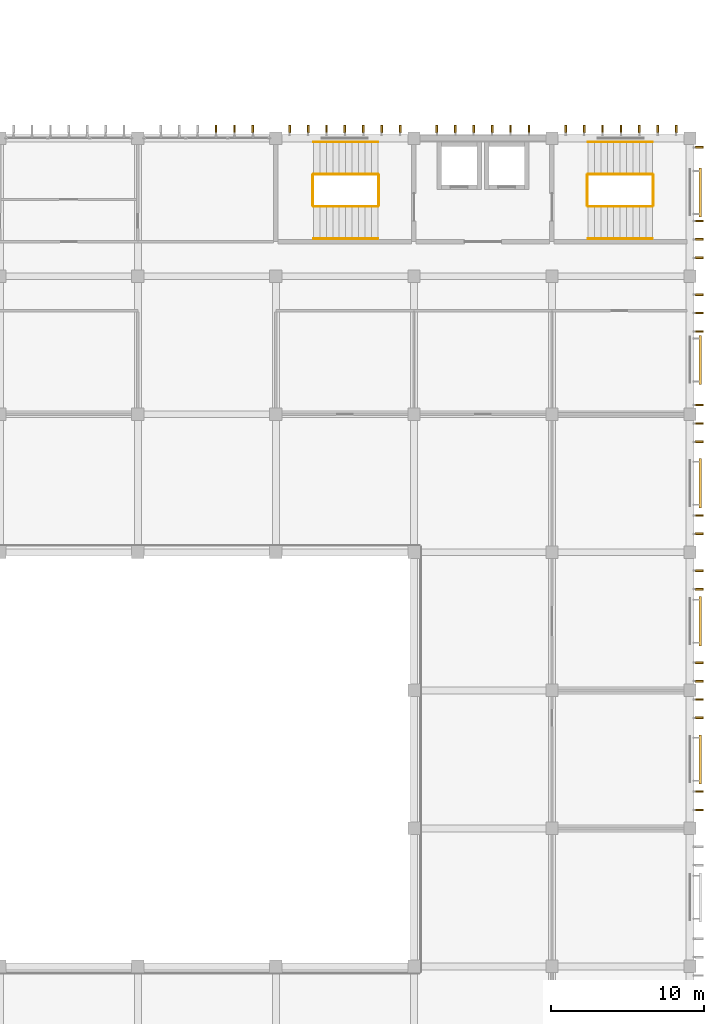
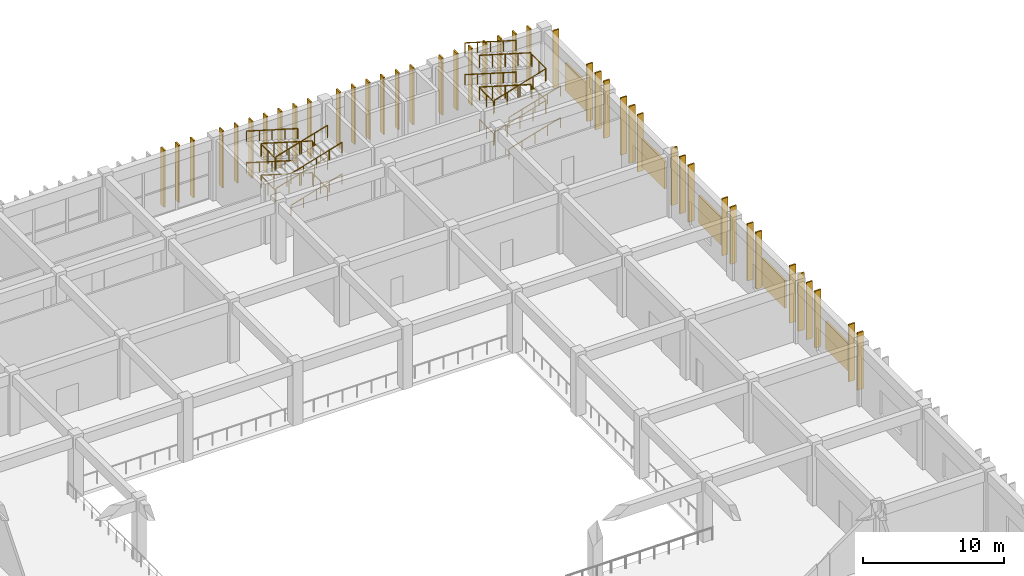
# One storey, part 185 of 185: 43 coverings, 24 railings, 5 shading devices.
"""IFC4 building model written with IfcOpenShell, lengths in metres."""

import ifcopenshell
import ifcopenshell.guid

model = None  # the IFC model being written
_history = None  # IfcOwnerHistory: only IFC2X3 demands one
_inside = {}  # id of a spatial element -> (the spatial element, [elements in it])
_under = {}  # id of a project, library or spatial element -> (it, [spatial elements below it])
_declared = {}  # id of a project -> (the project, [libraries it declares])
_typed = {}  # id of a type object -> (the type object, [elements of that type])
_made_of = {}  # id of a material, layer set ... -> (it, [elements and type objects made of it])


def new_model(schema):
    """Start an empty IFC model of exactly this schema.

    Asked for "IFC4X3", IfcOpenShell would pick the latest addendum, in which some entities
    have other attributes; the version numbers below select the first issue.
    IFC2X3 requires an IfcOwnerHistory on every rooted entity: one is made here for all.
    """
    global model, _history
    if schema == "IFC4X3":
        model = ifcopenshell.file(schema_version=(4, 3, 0, 0))
    else:
        model = ifcopenshell.file(schema=schema)
    _inside.clear()
    _under.clear()
    _declared.clear()
    _typed.clear()
    _made_of.clear()
    _history = None
    if model.schema == "IFC2X3":
        org = make("IfcOrganization", Name="unknown")
        user = make(
            "IfcPersonAndOrganization",
            ThePerson=make("IfcPerson", FamilyName="unknown"),
            TheOrganization=org,
        )
        app = make(
            "IfcApplication",
            ApplicationDeveloper=org,
            Version="unknown",
            ApplicationFullName="unknown",
            ApplicationIdentifier="unknown",
        )
        _history = make(
            "IfcOwnerHistory",
            OwningUser=user,
            OwningApplication=app,
            ChangeAction="ADDED",
            CreationDate=0,
        )
    return model


def make(cls, **values):
    """One entity of the class cls with the attributes given. An attribute that is None is left unset."""
    return model.create_entity(
        cls, **{name: value for name, value in values.items() if value is not None}
    )


def rooted(cls, **values):
    """An entity with a GlobalId (a new one), such as an element, a storey or a relation."""
    return make(cls, GlobalId=ifcopenshell.guid.new(), OwnerHistory=_history, **values)


def si_unit(unit_type, name, prefix=None):
    """IfcSIUnit, for example si_unit("LENGTHUNIT", "METRE", prefix="MILLI")."""
    return make("IfcSIUnit", UnitType=unit_type, Prefix=prefix, Name=name)


def assignment(units):
    """IfcUnitAssignment: the units of a project."""
    return None if units is None else make("IfcUnitAssignment", Units=units)


def point(xyz):
    """IfcCartesianPoint."""
    return None if xyz is None else make("IfcCartesianPoint", Coordinates=xyz)


def direction(xyz):
    """IfcDirection."""
    return None if xyz is None else make("IfcDirection", DirectionRatios=xyz)


def frame(location, z_axis=None, x_axis=None):
    """IfcAxis2Placement3D, a coordinate frame: its origin and axes. An axis left out is left unset."""
    return make(
        "IfcAxis2Placement3D",
        Location=point(location),
        Axis=direction(z_axis),
        RefDirection=direction(x_axis),
    )


def frame_2d(location, x_axis=None):
    """IfcAxis2Placement2D, a coordinate frame in the plane: its origin and x axis."""
    return make(
        "IfcAxis2Placement2D", Location=point(location), RefDirection=direction(x_axis)
    )


def origin():
    """The frame at (0, 0, 0) with its axes left unset."""
    return frame((0.0, 0.0, 0.0))


def origin_2d():
    """The frame at (0, 0) in the plane with its x axis left unset."""
    return frame_2d((0.0, 0.0))


def place(relative_to, where):
    """IfcLocalPlacement: puts the frame where relative to a parent placement (None: the world)."""
    return make(
        "IfcLocalPlacement", PlacementRelTo=relative_to, RelativePlacement=where
    )


def context(
    kind, dimensions, precision=None, world=None, true_north=None, identifier=None
):
    """IfcGeometricRepresentationContext, for example the 3D "Model" context."""
    return make(
        "IfcGeometricRepresentationContext",
        ContextIdentifier=identifier,
        ContextType=kind,
        CoordinateSpaceDimension=dimensions,
        Precision=precision,
        WorldCoordinateSystem=world,
        TrueNorth=true_north,
    )


def subcontext(parent, identifier, kind, view, scale=None):
    """IfcGeometricRepresentationSubContext, for example "Body" below "Model"."""
    return make(
        "IfcGeometricRepresentationSubContext",
        ContextIdentifier=identifier,
        ContextType=kind,
        ParentContext=parent,
        TargetScale=scale,
        TargetView=view,
    )


def project(units=None, contexts=None):
    """IfcProject with its units and contexts."""
    return rooted(
        "IfcProject",
        Name="project",
        RepresentationContexts=contexts,
        UnitsInContext=assignment(units),
    )


def spatial(cls, under=None, at=None, **own):
    """A site, building, storey or space (cls), placed at a placement, below another one or the project."""
    s = rooted(cls, ObjectPlacement=at, **own)
    if under is not None:
        _under.setdefault(under.id(), (under, []))[1].append(s)
    return s


def profile(cls, at=None, kind="AREA", **sizes):
    """A parametric profile (cls). Its sizes go by their IFC names, for example OverallWidth=200.0."""
    return make(cls, ProfileType=kind, Position=at, **sizes)


def rectangle(**sizes):
    """IfcRectangleProfileDef."""
    return profile("IfcRectangleProfileDef", **sizes)


def circle(**sizes):
    """IfcCircleProfileDef."""
    return profile("IfcCircleProfileDef", **sizes)


def extrude(swept, where, along, depth):
    """IfcExtrudedAreaSolid: the profile swept, set in the frame where, extruded along a direction by depth."""
    return make(
        "IfcExtrudedAreaSolid",
        SweptArea=swept,
        Position=where,
        ExtrudedDirection=direction(along),
        Depth=depth,
    )


def shape(context_of_items, identifier, shape_type, items):
    """IfcShapeRepresentation: the items that make up one representation, for example the "Body"."""
    return make(
        "IfcShapeRepresentation",
        ContextOfItems=context_of_items,
        RepresentationIdentifier=identifier,
        RepresentationType=shape_type,
        Items=items,
    )


def material(Name=None, Category=None):
    """IfcMaterial."""
    return make("IfcMaterial", Name=Name, Category=Category)


def layer(
    of_material, thickness, ventilated=None, Name=None, Category=None, Priority=None
):
    """IfcMaterialLayer: one layer of a wall or slab, of a material (None: an air gap)."""
    return make(
        "IfcMaterialLayer",
        Material=of_material,
        LayerThickness=thickness,
        IsVentilated=ventilated,
        Name=Name,
        Category=Category,
        Priority=Priority,
    )


def layer_set(layers, Name=None):
    """IfcMaterialLayerSet."""
    return make("IfcMaterialLayerSet", MaterialLayers=layers, LayerSetName=Name)


def constituent(of_material, Name=None, Category=None, fraction=None):
    """IfcMaterialConstituent: one of the materials an element consists of."""
    return make(
        "IfcMaterialConstituent",
        Name=Name,
        Material=of_material,
        Fraction=fraction,
        Category=Category,
    )


def constituent_set(constituents=None, Name=None):
    """IfcMaterialConstituentSet."""
    return make(
        "IfcMaterialConstituentSet", Name=Name, MaterialConstituents=constituents
    )


def made_of(thing, what):
    """Note that an element or type object is made of a material, layer set ...; save() writes the relation."""
    if what is not None:
        _made_of.setdefault(what.id(), (what, []))[1].append(thing)
    return thing


def type_object(cls, material=None, **own):
    """A type object (cls), such as IfcWallType, which elements share."""
    return made_of(rooted(cls, **own), material)


def element(
    cls,
    number,
    at=None,
    inside=None,
    cuts=None,
    type_object=None,
    material=None,
    context=None,
    identifier="Body",
    shape_type=None,
    held_by="IfcProductDefinitionShape",
    body=None,
    shapes=None,
    **own,
):
    """One element of the class cls, such as IfcWall. Its Tag is "e" and its number.

    at: its placement. inside: the storey or other place that contains it. cuts: it is an
    opening in that element (IfcRelVoidsElement). A single representation is given by context,
    identifier, shape_type and body (its items); several are given by shapes. held_by: the class
    of the entity that holds the representations. save() writes the other relations.
    """
    e = rooted(cls, Tag="e%d" % number, ObjectPlacement=at, **own)
    if body is not None:
        shapes = [shape(context, identifier, shape_type, body)]
    if shapes is not None:
        e.Representation = make(held_by, Representations=shapes)
    if inside is not None:
        _inside.setdefault(inside.id(), (inside, []))[1].append(e)
    if cuts is not None:
        rooted(
            "IfcRelVoidsElement", RelatingBuildingElement=cuts, RelatedOpeningElement=e
        )
    if type_object is not None:
        _typed.setdefault(type_object.id(), (type_object, []))[1].append(e)
    return made_of(e, material)


def aggregate(whole, parts):
    """IfcRelAggregates: a whole, such as a stair, and the parts it consists of."""
    return rooted("IfcRelAggregates", RelatingObject=whole, RelatedObjects=parts)


def save(model, path):
    """Write the relations noted so far, then the file.

    IfcRelAggregates (storeys below a building ...), IfcRelContainedInSpatialStructure (elements
    in a storey), IfcRelDefinesByType, IfcRelAssociatesMaterial and IfcRelDeclares: one each for
    every whole, place, type object, material and project.
    """
    for whole, parts in _under.values():
        aggregate(whole, parts)
    for where, things in _inside.values():
        rooted(
            "IfcRelContainedInSpatialStructure",
            RelatedElements=things,
            RelatingStructure=where,
        )
    for kind, things in _typed.values():
        rooted("IfcRelDefinesByType", RelatedObjects=things, RelatingType=kind)
    for what, things in _made_of.values():
        rooted("IfcRelAssociatesMaterial", RelatedObjects=things, RelatingMaterial=what)
    for by, libraries in _declared.values():
        rooted("IfcRelDeclares", RelatingContext=by, RelatedDefinitions=libraries)
    model.write(path)


model = new_model("IFC4")

# Units and contexts
model_context = context("Model", 3, precision=1e-05, world=origin(), true_north=direction((0.0, 1.0)))
body_context = subcontext(model_context, "Body", "Model", "MODEL_VIEW")
ifc_project = project(units=[si_unit("LENGTHUNIT", "METRE"), si_unit("AREAUNIT", "SQUARE_METRE"), si_unit("VOLUMEUNIT", "CUBIC_METRE"), si_unit("PLANEANGLEUNIT", "RADIAN"), si_unit("MASSUNIT", "GRAM", prefix="KILO")], contexts=[model_context])

# Site, building, storey
site_placement = place(None, origin())
site = spatial("IfcSite", under=ifc_project, at=site_placement, CompositionType="ELEMENT")
building_placement = place(site_placement, origin())
building = spatial("IfcBuilding", under=site, at=building_placement, Name="Opaline Strait Convention Centre", CompositionType="ELEMENT")
storey_placement = place(building_placement, frame((0.0, 0.0, 6.0)))
storey = spatial("IfcBuildingStorey", under=building, at=storey_placement, Name="L01", CompositionType="ELEMENT", Elevation=6.0)

# Railings
ifc_material_1 = material(Name="Steel Q235B", Category="steel")
ifc_constituent_1 = constituent(ifc_material_1, Name="Frame")
ifc_material_2 = material(Name="Safety glass, bonded interlayer", Category="glass")
ifc_constituent_2 = constituent(ifc_material_2, Name="Infill")
ifc_constituent_set = constituent_set(constituents=[ifc_constituent_1, ifc_constituent_2], Name="Steel Q235B, Safety glass, bonded interlayer")
railing_type_1 = type_object("IfcRailingType", Name="Guard 1100 steel and glass", PredefinedType="GUARDRAIL", material=ifc_constituent_set)
railing_1_placement = place(storey_placement, frame((353.349853515625, 175.5498046875, 0.125)))
element("IfcRailing", 1, at=railing_1_placement, inside=storey, type_object=railing_type_1, Name="L01 S7 stair guard 1", PredefinedType="GUARDRAIL", context=body_context, shape_type="SweptSolid", body=[
    extrude(circle(Radius=0.02392578125, at=origin_2d()), frame((0.0, 0.0, 1.076171875), z_axis=(0.958451171748, 0.0, 0.285256641246), x_axis=(0.0, 1.0, 0.0)), (0.0, 0.0, 1.0), 4.382080078125),
    extrude(circle(Radius=0.02099609375, at=origin_2d()), origin(), (0.0, 0.0, 1.0), 1.052001953125),
    extrude(circle(Radius=0.02099609375, at=origin_2d()), frame((1.050048828125, 0.0, 0.3125)), (0.0, 0.0, 1.0), 1.052001953125),
    extrude(circle(Radius=0.02099609375, at=origin_2d()), frame((2.10009765625, 0.0, 0.625)), (0.0, 0.0, 1.0), 1.052001953125),
    extrude(circle(Radius=0.02099609375, at=origin_2d()), frame((3.14990234375, 0.0, 0.9375)), (0.0, 0.0, 1.0), 1.052001953125),
    extrude(circle(Radius=0.02099609375, at=origin_2d()), frame((4.199951171875, 0.0, 1.25)), (0.0, 0.0, 1.0), 1.052001953125),
])
railing_2_placement = place(storey_placement, frame((357.599853515625, 175.599853515625, 1.375)))
element("IfcRailing", 2, at=railing_2_placement, inside=storey, type_object=railing_type_1, Name="L01 S7 stair guard 2", PredefinedType="GUARDRAIL", context=body_context, shape_type="SweptSolid", body=[
    extrude(circle(Radius=0.02392578125, at=origin_2d()), frame((0.0, 0.0, 1.076171875), z_axis=(0.0, 1.0, 0.0), x_axis=(-1.0, 0.0, 0.0)), (0.0, 0.0, 1.0), 2.0),
    extrude(circle(Radius=0.02099609375, at=origin_2d()), origin(), (0.0, 0.0, 1.0), 1.052001953125),
    extrude(circle(Radius=0.02099609375, at=origin_2d()), frame((0.0, 1.0, 0.0)), (0.0, 0.0, 1.0), 1.052001953125),
    extrude(circle(Radius=0.02099609375, at=origin_2d()), frame((0.0, 2.0, 0.0)), (0.0, 0.0, 1.0), 1.052001953125),
])
railing_3_placement = place(storey_placement, frame((357.5498046875, 177.64990234375, 1.5)))
element("IfcRailing", 3, at=railing_3_placement, inside=storey, type_object=railing_type_1, Name="L01 S7 stair guard 3", PredefinedType="GUARDRAIL", context=body_context, shape_type="SweptSolid", body=[
    extrude(circle(Radius=0.02392578125, at=origin_2d()), frame((0.0, 0.0, 1.076171875), z_axis=(-0.958451171748, 0.0, 0.285256641246), x_axis=(0.0, -1.0, 0.0)), (0.0, 0.0, 1.0), 4.382080078125),
    extrude(circle(Radius=0.02099609375, at=origin_2d()), origin(), (0.0, 0.0, 1.0), 1.052001953125),
    extrude(circle(Radius=0.02099609375, at=origin_2d()), frame((-1.050048828125, 0.0, 0.3125)), (0.0, 0.0, 1.0), 1.052001953125),
    extrude(circle(Radius=0.02099609375, at=origin_2d()), frame((-2.10009765625, 0.0, 0.625)), (0.0, 0.0, 1.0), 1.052001953125),
    extrude(circle(Radius=0.02099609375, at=origin_2d()), frame((-3.14990234375, 0.0, 0.9375)), (0.0, 0.0, 1.0), 1.052001953125),
    extrude(circle(Radius=0.02099609375, at=origin_2d()), frame((-4.199951171875, 0.0, 1.25)), (0.0, 0.0, 1.0), 1.052001953125),
])
railing_4_placement = place(storey_placement, frame((353.2998046875, 175.599853515625, 2.75)))
element("IfcRailing", 4, at=railing_4_placement, inside=storey, type_object=railing_type_1, Name="L01 S7 stair guard 4", PredefinedType="GUARDRAIL", context=body_context, shape_type="SweptSolid", body=[
    extrude(circle(Radius=0.02392578125, at=origin_2d()), frame((0.0, 0.0, 1.076171875), z_axis=(0.0, 1.0, 0.0), x_axis=(-1.0, 0.0, 0.0)), (0.0, 0.0, 1.0), 2.0),
    extrude(circle(Radius=0.02099609375, at=origin_2d()), origin(), (0.0, 0.0, 1.0), 1.052001953125),
    extrude(circle(Radius=0.02099609375, at=origin_2d()), frame((0.0, 1.0, 0.0)), (0.0, 0.0, 1.0), 1.052001953125),
    extrude(circle(Radius=0.02099609375, at=origin_2d()), frame((0.0, 2.0, 0.0)), (0.0, 0.0, 1.0), 1.052001953125),
])
railing_5_placement = place(storey_placement, frame((353.349853515625, 175.5498046875, 2.875)))
element("IfcRailing", 5, at=railing_5_placement, inside=storey, type_object=railing_type_1, Name="L01 S7 stair guard 5", PredefinedType="GUARDRAIL", context=body_context, shape_type="SweptSolid", body=[
    extrude(circle(Radius=0.02392578125, at=origin_2d()), frame((0.0, 0.0, 1.076171875), z_axis=(0.958451171748, 0.0, 0.285256641246), x_axis=(0.0, 1.0, 0.0)), (0.0, 0.0, 1.0), 4.382080078125),
    extrude(circle(Radius=0.02099609375, at=origin_2d()), origin(), (0.0, 0.0, 1.0), 1.052001953125),
    extrude(circle(Radius=0.02099609375, at=origin_2d()), frame((1.050048828125, 0.0, 0.3125)), (0.0, 0.0, 1.0), 1.052001953125),
    extrude(circle(Radius=0.02099609375, at=origin_2d()), frame((2.10009765625, 0.0, 0.625)), (0.0, 0.0, 1.0), 1.052001953125),
    extrude(circle(Radius=0.02099609375, at=origin_2d()), frame((3.14990234375, 0.0, 0.9375)), (0.0, 0.0, 1.0), 1.052001953125),
    extrude(circle(Radius=0.02099609375, at=origin_2d()), frame((4.199951171875, 0.0, 1.25)), (0.0, 0.0, 1.0), 1.052001953125),
])
railing_6_placement = place(storey_placement, frame((357.599853515625, 175.599853515625, 4.125)))
element("IfcRailing", 6, at=railing_6_placement, inside=storey, type_object=railing_type_1, Name="L01 S7 stair guard 6", PredefinedType="GUARDRAIL", context=body_context, shape_type="SweptSolid", body=[
    extrude(circle(Radius=0.02392578125, at=origin_2d()), frame((0.0, 0.0, 1.076171875), z_axis=(0.0, 1.0, 0.0), x_axis=(-1.0, 0.0, 0.0)), (0.0, 0.0, 1.0), 2.0),
    extrude(circle(Radius=0.02099609375, at=origin_2d()), origin(), (0.0, 0.0, 1.0), 1.052001953125),
    extrude(circle(Radius=0.02099609375, at=origin_2d()), frame((0.0, 1.0, 0.0)), (0.0, 0.0, 1.0), 1.052001953125),
    extrude(circle(Radius=0.02099609375, at=origin_2d()), frame((0.0, 2.0, 0.0)), (0.0, 0.0, 1.0), 1.052001953125),
])
railing_7_placement = place(storey_placement, frame((357.5498046875, 177.64990234375, 4.25)))
element("IfcRailing", 7, at=railing_7_placement, inside=storey, type_object=railing_type_1, Name="L01 S7 stair guard 7", PredefinedType="GUARDRAIL", context=body_context, shape_type="SweptSolid", body=[
    extrude(circle(Radius=0.02392578125, at=origin_2d()), frame((0.0, 0.0, 1.076171875), z_axis=(-0.958451171748, 0.0, 0.285256641246), x_axis=(0.0, -1.0, 0.0)), (0.0, 0.0, 1.0), 4.382080078125),
    extrude(circle(Radius=0.02099609375, at=origin_2d()), origin(), (0.0, 0.0, 1.0), 1.052001953125),
    extrude(circle(Radius=0.02099609375, at=origin_2d()), frame((-1.050048828125, 0.0, 0.3125)), (0.0, 0.0, 1.0), 1.052001953125),
    extrude(circle(Radius=0.02099609375, at=origin_2d()), frame((-2.10009765625, 0.0, 0.625)), (0.0, 0.0, 1.0), 1.052001953125),
    extrude(circle(Radius=0.02099609375, at=origin_2d()), frame((-3.14990234375, 0.0, 0.9375)), (0.0, 0.0, 1.0), 1.052001953125),
    extrude(circle(Radius=0.02099609375, at=origin_2d()), frame((-4.199951171875, 0.0, 1.25)), (0.0, 0.0, 1.0), 1.052001953125),
])
railing_8_placement = place(storey_placement, frame((353.2998046875, 175.599853515625, 0.0)))
element("IfcRailing", 8, at=railing_8_placement, inside=storey, type_object=railing_type_1, Name="L01 S7 stair guard 8", PredefinedType="GUARDRAIL", context=body_context, shape_type="SweptSolid", body=[
    extrude(circle(Radius=0.02392578125, at=origin_2d()), frame((0.0, 0.0, 1.076171875), z_axis=(0.0, 1.0, 0.0), x_axis=(-1.0, 0.0, 0.0)), (0.0, 0.0, 1.0), 2.0),
    extrude(circle(Radius=0.02099609375, at=origin_2d()), origin(), (0.0, 0.0, 1.0), 1.052001953125),
    extrude(circle(Radius=0.02099609375, at=origin_2d()), frame((0.0, 1.0, 0.0)), (0.0, 0.0, 1.0), 1.052001953125),
    extrude(circle(Radius=0.02099609375, at=origin_2d()), frame((0.0, 2.0, 0.0)), (0.0, 0.0, 1.0), 1.052001953125),
])
railing_9_placement = place(storey_placement, frame((339.650146484375, 177.650146484375, 0.125)))
element("IfcRailing", 9, at=railing_9_placement, inside=storey, type_object=railing_type_1, Name="L01 S8 stair guard 1", PredefinedType="GUARDRAIL", context=body_context, shape_type="SweptSolid", body=[
    extrude(circle(Radius=0.02392578125, at=origin_2d()), frame((0.0, 0.0, 1.076171875), z_axis=(-0.958451171748, 0.0, 0.285256641246), x_axis=(0.0, -1.0, 0.0)), (0.0, 0.0, 1.0), 4.382080078125),
    extrude(circle(Radius=0.02099609375, at=origin_2d()), origin(), (0.0, 0.0, 1.0), 1.052001953125),
    extrude(circle(Radius=0.02099609375, at=origin_2d()), frame((-1.050048828125, 0.0, 0.3125)), (0.0, 0.0, 1.0), 1.052001953125),
    extrude(circle(Radius=0.02099609375, at=origin_2d()), frame((-2.10009765625, 0.0, 0.625)), (0.0, 0.0, 1.0), 1.052001953125),
    extrude(circle(Radius=0.02099609375, at=origin_2d()), frame((-3.14990234375, 0.0, 0.9375)), (0.0, 0.0, 1.0), 1.052001953125),
    extrude(circle(Radius=0.02099609375, at=origin_2d()), frame((-4.199951171875, 0.0, 1.25)), (0.0, 0.0, 1.0), 1.052001953125),
])
railing_10_placement = place(storey_placement, frame((335.400146484375, 177.60009765625, 1.375)))
element("IfcRailing", 10, at=railing_10_placement, inside=storey, type_object=railing_type_1, Name="L01 S8 stair guard 2", PredefinedType="GUARDRAIL", context=body_context, shape_type="SweptSolid", body=[
    extrude(circle(Radius=0.02392578125, at=origin_2d()), frame((0.0, 0.0, 1.076171875), z_axis=(0.0, -1.0, 0.0), x_axis=(1.0, 0.0, 0.0)), (0.0, 0.0, 1.0), 2.0),
    extrude(circle(Radius=0.02099609375, at=origin_2d()), origin(), (0.0, 0.0, 1.0), 1.052001953125),
    extrude(circle(Radius=0.02099609375, at=origin_2d()), frame((0.0, -1.0, 0.0)), (0.0, 0.0, 1.0), 1.052001953125),
    extrude(circle(Radius=0.02099609375, at=origin_2d()), frame((0.0, -2.0, 0.0)), (0.0, 0.0, 1.0), 1.052001953125),
])
railing_11_placement = place(storey_placement, frame((335.4501953125, 175.550048828125, 1.5)))
element("IfcRailing", 11, at=railing_11_placement, inside=storey, type_object=railing_type_1, Name="L01 S8 stair guard 3", PredefinedType="GUARDRAIL", context=body_context, shape_type="SweptSolid", body=[
    extrude(circle(Radius=0.02392578125, at=origin_2d()), frame((0.0, 0.0, 1.076171875), z_axis=(0.958451171748, 0.0, 0.285256641246), x_axis=(0.0, 1.0, 0.0)), (0.0, 0.0, 1.0), 4.382080078125),
    extrude(circle(Radius=0.02099609375, at=origin_2d()), origin(), (0.0, 0.0, 1.0), 1.052001953125),
    extrude(circle(Radius=0.02099609375, at=origin_2d()), frame((1.050048828125, 0.0, 0.3125)), (0.0, 0.0, 1.0), 1.052001953125),
    extrude(circle(Radius=0.02099609375, at=origin_2d()), frame((2.10009765625, 0.0, 0.625)), (0.0, 0.0, 1.0), 1.052001953125),
    extrude(circle(Radius=0.02099609375, at=origin_2d()), frame((3.14990234375, 0.0, 0.9375)), (0.0, 0.0, 1.0), 1.052001953125),
    extrude(circle(Radius=0.02099609375, at=origin_2d()), frame((4.199951171875, 0.0, 1.25)), (0.0, 0.0, 1.0), 1.052001953125),
])
railing_12_placement = place(storey_placement, frame((339.7001953125, 177.60009765625, 2.75)))
element("IfcRailing", 12, at=railing_12_placement, inside=storey, type_object=railing_type_1, Name="L01 S8 stair guard 4", PredefinedType="GUARDRAIL", context=body_context, shape_type="SweptSolid", body=[
    extrude(circle(Radius=0.02392578125, at=origin_2d()), frame((0.0, 0.0, 1.076171875), z_axis=(0.0, -1.0, 0.0), x_axis=(1.0, 0.0, 0.0)), (0.0, 0.0, 1.0), 2.0),
    extrude(circle(Radius=0.02099609375, at=origin_2d()), origin(), (0.0, 0.0, 1.0), 1.052001953125),
    extrude(circle(Radius=0.02099609375, at=origin_2d()), frame((0.0, -1.0, 0.0)), (0.0, 0.0, 1.0), 1.052001953125),
    extrude(circle(Radius=0.02099609375, at=origin_2d()), frame((0.0, -2.0, 0.0)), (0.0, 0.0, 1.0), 1.052001953125),
])
railing_13_placement = place(storey_placement, frame((339.650146484375, 177.650146484375, 2.875)))
element("IfcRailing", 13, at=railing_13_placement, inside=storey, type_object=railing_type_1, Name="L01 S8 stair guard 5", PredefinedType="GUARDRAIL", context=body_context, shape_type="SweptSolid", body=[
    extrude(circle(Radius=0.02392578125, at=origin_2d()), frame((0.0, 0.0, 1.076171875), z_axis=(-0.958451171748, 0.0, 0.285256641246), x_axis=(0.0, -1.0, 0.0)), (0.0, 0.0, 1.0), 4.382080078125),
    extrude(circle(Radius=0.02099609375, at=origin_2d()), origin(), (0.0, 0.0, 1.0), 1.052001953125),
    extrude(circle(Radius=0.02099609375, at=origin_2d()), frame((-1.050048828125, 0.0, 0.3125)), (0.0, 0.0, 1.0), 1.052001953125),
    extrude(circle(Radius=0.02099609375, at=origin_2d()), frame((-2.10009765625, 0.0, 0.625)), (0.0, 0.0, 1.0), 1.052001953125),
    extrude(circle(Radius=0.02099609375, at=origin_2d()), frame((-3.14990234375, 0.0, 0.9375)), (0.0, 0.0, 1.0), 1.052001953125),
    extrude(circle(Radius=0.02099609375, at=origin_2d()), frame((-4.199951171875, 0.0, 1.25)), (0.0, 0.0, 1.0), 1.052001953125),
])
railing_14_placement = place(storey_placement, frame((335.400146484375, 177.60009765625, 4.125)))
element("IfcRailing", 14, at=railing_14_placement, inside=storey, type_object=railing_type_1, Name="L01 S8 stair guard 6", PredefinedType="GUARDRAIL", context=body_context, shape_type="SweptSolid", body=[
    extrude(circle(Radius=0.02392578125, at=origin_2d()), frame((0.0, 0.0, 1.076171875), z_axis=(0.0, -1.0, 0.0), x_axis=(1.0, 0.0, 0.0)), (0.0, 0.0, 1.0), 2.0),
    extrude(circle(Radius=0.02099609375, at=origin_2d()), origin(), (0.0, 0.0, 1.0), 1.052001953125),
    extrude(circle(Radius=0.02099609375, at=origin_2d()), frame((0.0, -1.0, 0.0)), (0.0, 0.0, 1.0), 1.052001953125),
    extrude(circle(Radius=0.02099609375, at=origin_2d()), frame((0.0, -2.0, 0.0)), (0.0, 0.0, 1.0), 1.052001953125),
])
railing_15_placement = place(storey_placement, frame((335.4501953125, 175.550048828125, 4.25)))
element("IfcRailing", 15, at=railing_15_placement, inside=storey, type_object=railing_type_1, Name="L01 S8 stair guard 7", PredefinedType="GUARDRAIL", context=body_context, shape_type="SweptSolid", body=[
    extrude(circle(Radius=0.02392578125, at=origin_2d()), frame((0.0, 0.0, 1.076171875), z_axis=(0.958451171748, 0.0, 0.285256641246), x_axis=(0.0, 1.0, 0.0)), (0.0, 0.0, 1.0), 4.382080078125),
    extrude(circle(Radius=0.02099609375, at=origin_2d()), origin(), (0.0, 0.0, 1.0), 1.052001953125),
    extrude(circle(Radius=0.02099609375, at=origin_2d()), frame((1.050048828125, 0.0, 0.3125)), (0.0, 0.0, 1.0), 1.052001953125),
    extrude(circle(Radius=0.02099609375, at=origin_2d()), frame((2.10009765625, 0.0, 0.625)), (0.0, 0.0, 1.0), 1.052001953125),
    extrude(circle(Radius=0.02099609375, at=origin_2d()), frame((3.14990234375, 0.0, 0.9375)), (0.0, 0.0, 1.0), 1.052001953125),
    extrude(circle(Radius=0.02099609375, at=origin_2d()), frame((4.199951171875, 0.0, 1.25)), (0.0, 0.0, 1.0), 1.052001953125),
])
railing_16_placement = place(storey_placement, frame((339.7001953125, 177.60009765625, 0.0)))
element("IfcRailing", 16, at=railing_16_placement, inside=storey, type_object=railing_type_1, Name="L01 S8 stair guard 8", PredefinedType="GUARDRAIL", context=body_context, shape_type="SweptSolid", body=[
    extrude(circle(Radius=0.02392578125, at=origin_2d()), frame((0.0, 0.0, 1.076171875), z_axis=(0.0, -1.0, 0.0), x_axis=(1.0, 0.0, 0.0)), (0.0, 0.0, 1.0), 2.0),
    extrude(circle(Radius=0.02099609375, at=origin_2d()), origin(), (0.0, 0.0, 1.0), 1.052001953125),
    extrude(circle(Radius=0.02099609375, at=origin_2d()), frame((0.0, -1.0, 0.0)), (0.0, 0.0, 1.0), 1.052001953125),
    extrude(circle(Radius=0.02099609375, at=origin_2d()), frame((0.0, -2.0, 0.0)), (0.0, 0.0, 1.0), 1.052001953125),
])
ifc_material_3 = material(Name="Stainless steel 304", Category="steel")
railing_type_2 = type_object("IfcRailingType", Name="Stair handrail 900 stainless steel", PredefinedType="HANDRAIL", material=ifc_material_3)
railing_17_placement = place(storey_placement, frame((353.349853515625, 173.449951171875, 0.125)))
element("IfcRailing", 17, at=railing_17_placement, inside=storey, type_object=railing_type_2, Name="L01 S7 stair handrail 1", PredefinedType="HANDRAIL", context=body_context, shape_type="SweptSolid", body=[
    extrude(circle(Radius=0.02392578125, at=origin_2d()), frame((0.0, 0.0, 0.8759765625), z_axis=(0.958451171748, 0.0, 0.285256641246), x_axis=(0.0, 1.0, 0.0)), (0.0, 0.0, 1.0), 4.382080078125),
    extrude(circle(Radius=0.02099609375, at=origin_2d()), origin(), (0.0, 0.0, 1.0), 0.851806640625),
    extrude(circle(Radius=0.02099609375, at=origin_2d()), frame((1.050048828125, 0.0, 0.3125)), (0.0, 0.0, 1.0), 0.851806640625),
    extrude(circle(Radius=0.02099609375, at=origin_2d()), frame((2.10009765625, 0.0, 0.625)), (0.0, 0.0, 1.0), 0.851806640625),
    extrude(circle(Radius=0.02099609375, at=origin_2d()), frame((3.14990234375, 0.0, 0.9375)), (0.0, 0.0, 1.0), 0.851806640625),
    extrude(circle(Radius=0.02099609375, at=origin_2d()), frame((4.199951171875, 0.0, 1.25)), (0.0, 0.0, 1.0), 0.851806640625),
])
railing_18_placement = place(storey_placement, frame((357.5498046875, 179.75, 1.5)))
element("IfcRailing", 18, at=railing_18_placement, inside=storey, type_object=railing_type_2, Name="L01 S7 stair handrail 2", PredefinedType="HANDRAIL", context=body_context, shape_type="SweptSolid", body=[
    extrude(circle(Radius=0.02392578125, at=origin_2d()), frame((0.0, 0.0, 0.8759765625), z_axis=(-0.958451171748, 0.0, 0.285256641246), x_axis=(0.0, -1.0, 0.0)), (0.0, 0.0, 1.0), 4.382080078125),
    extrude(circle(Radius=0.02099609375, at=origin_2d()), origin(), (0.0, 0.0, 1.0), 0.851806640625),
    extrude(circle(Radius=0.02099609375, at=origin_2d()), frame((-1.050048828125, 0.0, 0.3125)), (0.0, 0.0, 1.0), 0.851806640625),
    extrude(circle(Radius=0.02099609375, at=origin_2d()), frame((-2.10009765625, 0.0, 0.625)), (0.0, 0.0, 1.0), 0.851806640625),
    extrude(circle(Radius=0.02099609375, at=origin_2d()), frame((-3.14990234375, 0.0, 0.9375)), (0.0, 0.0, 1.0), 0.851806640625),
    extrude(circle(Radius=0.02099609375, at=origin_2d()), frame((-4.199951171875, 0.0, 1.25)), (0.0, 0.0, 1.0), 0.851806640625),
])
railing_19_placement = place(storey_placement, frame((353.349853515625, 173.449951171875, 2.875)))
element("IfcRailing", 19, at=railing_19_placement, inside=storey, type_object=railing_type_2, Name="L01 S7 stair handrail 3", PredefinedType="HANDRAIL", context=body_context, shape_type="SweptSolid", body=[
    extrude(circle(Radius=0.02392578125, at=origin_2d()), frame((0.0, 0.0, 0.8759765625), z_axis=(0.958451171748, 0.0, 0.285256641246), x_axis=(0.0, 1.0, 0.0)), (0.0, 0.0, 1.0), 4.382080078125),
    extrude(circle(Radius=0.02099609375, at=origin_2d()), origin(), (0.0, 0.0, 1.0), 0.851806640625),
    extrude(circle(Radius=0.02099609375, at=origin_2d()), frame((1.050048828125, 0.0, 0.3125)), (0.0, 0.0, 1.0), 0.851806640625),
    extrude(circle(Radius=0.02099609375, at=origin_2d()), frame((2.10009765625, 0.0, 0.625)), (0.0, 0.0, 1.0), 0.851806640625),
    extrude(circle(Radius=0.02099609375, at=origin_2d()), frame((3.14990234375, 0.0, 0.9375)), (0.0, 0.0, 1.0), 0.851806640625),
    extrude(circle(Radius=0.02099609375, at=origin_2d()), frame((4.199951171875, 0.0, 1.25)), (0.0, 0.0, 1.0), 0.851806640625),
])
for number, where, name in (
    (20, (357.5498046875, 179.75, 4.25), "L01 S7 stair handrail 4"),
    (21, (339.650146484375, 179.75, 0.125), "L01 S8 stair handrail 1"),
):
    element("IfcRailing", number, at=place(storey_placement, frame(where)), inside=storey, type_object=railing_type_2, Name=name, PredefinedType="HANDRAIL", context=body_context, shape_type="SweptSolid", body=[
        extrude(circle(Radius=0.02392578125, at=origin_2d()), frame((0.0, 0.0, 0.8759765625), z_axis=(-0.958451171748, 0.0, 0.285256641246), x_axis=(0.0, -1.0, 0.0)), (0.0, 0.0, 1.0), 4.382080078125),
        extrude(circle(Radius=0.02099609375, at=origin_2d()), origin(), (0.0, 0.0, 1.0), 0.851806640625),
        extrude(circle(Radius=0.02099609375, at=origin_2d()), frame((-1.050048828125, 0.0, 0.3125)), (0.0, 0.0, 1.0), 0.851806640625),
        extrude(circle(Radius=0.02099609375, at=origin_2d()), frame((-2.10009765625, 0.0, 0.625)), (0.0, 0.0, 1.0), 0.851806640625),
        extrude(circle(Radius=0.02099609375, at=origin_2d()), frame((-3.14990234375, 0.0, 0.9375)), (0.0, 0.0, 1.0), 0.851806640625),
        extrude(circle(Radius=0.02099609375, at=origin_2d()), frame((-4.199951171875, 0.0, 1.25)), (0.0, 0.0, 1.0), 0.851806640625),
    ])
railing_20_placement = place(storey_placement, frame((335.4501953125, 173.449951171875, 1.5)))
element("IfcRailing", 22, at=railing_20_placement, inside=storey, type_object=railing_type_2, Name="L01 S8 stair handrail 2", PredefinedType="HANDRAIL", context=body_context, shape_type="SweptSolid", body=[
    extrude(circle(Radius=0.02392578125, at=origin_2d()), frame((0.0, 0.0, 0.8759765625), z_axis=(0.958451171748, 0.0, 0.285256641246), x_axis=(0.0, 1.0, 0.0)), (0.0, 0.0, 1.0), 4.382080078125),
    extrude(circle(Radius=0.02099609375, at=origin_2d()), origin(), (0.0, 0.0, 1.0), 0.851806640625),
    extrude(circle(Radius=0.02099609375, at=origin_2d()), frame((1.050048828125, 0.0, 0.3125)), (0.0, 0.0, 1.0), 0.851806640625),
    extrude(circle(Radius=0.02099609375, at=origin_2d()), frame((2.10009765625, 0.0, 0.625)), (0.0, 0.0, 1.0), 0.851806640625),
    extrude(circle(Radius=0.02099609375, at=origin_2d()), frame((3.14990234375, 0.0, 0.9375)), (0.0, 0.0, 1.0), 0.851806640625),
    extrude(circle(Radius=0.02099609375, at=origin_2d()), frame((4.199951171875, 0.0, 1.25)), (0.0, 0.0, 1.0), 0.851806640625),
])
railing_21_placement = place(storey_placement, frame((339.650146484375, 179.75, 2.875)))
element("IfcRailing", 23, at=railing_21_placement, inside=storey, type_object=railing_type_2, Name="L01 S8 stair handrail 3", PredefinedType="HANDRAIL", context=body_context, shape_type="SweptSolid", body=[
    extrude(circle(Radius=0.02392578125, at=origin_2d()), frame((0.0, 0.0, 0.8759765625), z_axis=(-0.958451171748, 0.0, 0.285256641246), x_axis=(0.0, -1.0, 0.0)), (0.0, 0.0, 1.0), 4.382080078125),
    extrude(circle(Radius=0.02099609375, at=origin_2d()), origin(), (0.0, 0.0, 1.0), 0.851806640625),
    extrude(circle(Radius=0.02099609375, at=origin_2d()), frame((-1.050048828125, 0.0, 0.3125)), (0.0, 0.0, 1.0), 0.851806640625),
    extrude(circle(Radius=0.02099609375, at=origin_2d()), frame((-2.10009765625, 0.0, 0.625)), (0.0, 0.0, 1.0), 0.851806640625),
    extrude(circle(Radius=0.02099609375, at=origin_2d()), frame((-3.14990234375, 0.0, 0.9375)), (0.0, 0.0, 1.0), 0.851806640625),
    extrude(circle(Radius=0.02099609375, at=origin_2d()), frame((-4.199951171875, 0.0, 1.25)), (0.0, 0.0, 1.0), 0.851806640625),
])
railing_22_placement = place(storey_placement, frame((335.4501953125, 173.449951171875, 4.25)))
element("IfcRailing", 24, at=railing_22_placement, inside=storey, type_object=railing_type_2, Name="L01 S8 stair handrail 4", PredefinedType="HANDRAIL", context=body_context, shape_type="SweptSolid", body=[
    extrude(circle(Radius=0.02392578125, at=origin_2d()), frame((0.0, 0.0, 0.8759765625), z_axis=(0.958451171748, 0.0, 0.285256641246), x_axis=(0.0, 1.0, 0.0)), (0.0, 0.0, 1.0), 4.382080078125),
    extrude(circle(Radius=0.02099609375, at=origin_2d()), origin(), (0.0, 0.0, 1.0), 0.851806640625),
    extrude(circle(Radius=0.02099609375, at=origin_2d()), frame((1.050048828125, 0.0, 0.3125)), (0.0, 0.0, 1.0), 0.851806640625),
    extrude(circle(Radius=0.02099609375, at=origin_2d()), frame((2.10009765625, 0.0, 0.625)), (0.0, 0.0, 1.0), 0.851806640625),
    extrude(circle(Radius=0.02099609375, at=origin_2d()), frame((3.14990234375, 0.0, 0.9375)), (0.0, 0.0, 1.0), 0.851806640625),
    extrude(circle(Radius=0.02099609375, at=origin_2d()), frame((4.199951171875, 0.0, 1.25)), (0.0, 0.0, 1.0), 0.851806640625),
])

# Shading devices
ifc_material_4 = material(Name="Aluminium alloy 6063-T5", Category="aluminium")
ifc_layer_1 = layer(ifc_material_4, 0.14990234375)
ifc_layer_set_1 = layer_set([ifc_layer_1], Name="Aluminium alloy 6063-T5")
shading_device_type = type_object("IfcShadingDeviceType", Name="Storm louvre 3200 x 2400 aluminium", PredefinedType="JALOUSIE", material=ifc_layer_set_1)
for number, where, z_axis, x_axis, name in (
    (25, (360.675048828125, 139.5, 0.75), (0.0, 0.0, 1.0), (1.0, 0.0, 0.0), "Storm louvre L01"),
    (26, (360.675048828125, 148.5, 0.75), (0.0, 0.0, 1.0), (1.0, 0.0, 0.0), "Storm louvre L01"),
    (27, (360.675048828125, 157.5, 0.75), (0.0, 0.0, 1.0), (1.0, 0.0, 0.0), "Storm louvre L01"),
    (28, (360.675048828125, 165.53759765625, 0.75), (0.0, 0.0, 1.0), (1.0, 0.0, 0.0), "Storm louvre L01"),
    (29, (360.675048828125, 176.46240234375, 0.75), (0.0, 0.0, 1.0), (1.0, 0.0, 0.0), "Storm louvre L01"),
):
    element("IfcShadingDevice", number, at=place(storey_placement, frame(where, z_axis=z_axis, x_axis=x_axis)), inside=storey, type_object=shading_device_type, Name=name, PredefinedType="JALOUSIE", context=body_context, shape_type="SweptSolid", body=[
        extrude(rectangle(XDim=0.14990234375, YDim=3.199951171875, at=origin_2d()), origin(), (0.0, 0.0, 1.0), 2.39990234375),
    ])

# Coverings
ifc_layer_2 = layer(ifc_material_4, 0.1201171875)
ifc_layer_set_2 = layer_set([ifc_layer_2], Name="Aluminium alloy 6063-T5")
covering_type = type_object("IfcCoveringType", Name="Storm louvre fin 120 x 500 aluminium", PredefinedType="CLADDING", material=ifc_layer_set_2)
for number, where, z_axis, x_axis, name in (
    (30, (329.10009765625, 180.60009765625, 0.25), (0.0, 0.0, 1.0), (1.0, 0.0, 0.0), "Storm louvre fin N L01"),
    (31, (330.300048828125, 180.60009765625, 0.25), (0.0, 0.0, 1.0), (1.0, 0.0, 0.0), "Storm louvre fin N L01"),
    (32, (331.5, 180.60009765625, 0.25), (0.0, 0.0, 1.0), (1.0, 0.0, 0.0), "Storm louvre fin N L01"),
    (33, (333.89990234375, 180.60009765625, 0.25), (0.0, 0.0, 1.0), (1.0, 0.0, 0.0), "Storm louvre fin N L01"),
    (34, (335.10009765625, 180.60009765625, 0.25), (0.0, 0.0, 1.0), (1.0, 0.0, 0.0), "Storm louvre fin N L01"),
    (35, (336.300048828125, 180.60009765625, 0.25), (0.0, 0.0, 1.0), (1.0, 0.0, 0.0), "Storm louvre fin N L01"),
    (36, (337.5, 180.60009765625, 0.25), (0.0, 0.0, 1.0), (1.0, 0.0, 0.0), "Storm louvre fin N L01"),
    (37, (338.699951171875, 180.60009765625, 0.25), (0.0, 0.0, 1.0), (1.0, 0.0, 0.0), "Storm louvre fin N L01"),
    (38, (339.89990234375, 180.60009765625, 0.25), (0.0, 0.0, 1.0), (1.0, 0.0, 0.0), "Storm louvre fin N L01"),
    (39, (341.10009765625, 180.60009765625, 0.25), (0.0, 0.0, 1.0), (1.0, 0.0, 0.0), "Storm louvre fin N L01"),
    (40, (343.5, 180.60009765625, 0.25), (0.0, 0.0, 1.0), (1.0, 0.0, 0.0), "Storm louvre fin N L01"),
    (41, (344.699951171875, 180.60009765625, 0.25), (0.0, 0.0, 1.0), (1.0, 0.0, 0.0), "Storm louvre fin N L01"),
    (42, (345.89990234375, 180.60009765625, 0.25), (0.0, 0.0, 1.0), (1.0, 0.0, 0.0), "Storm louvre fin N L01"),
    (43, (347.10009765625, 180.60009765625, 0.25), (0.0, 0.0, 1.0), (1.0, 0.0, 0.0), "Storm louvre fin N L01"),
    (44, (348.300048828125, 180.60009765625, 0.25), (0.0, 0.0, 1.0), (1.0, 0.0, 0.0), "Storm louvre fin N L01"),
    (45, (349.5, 180.60009765625, 0.25), (0.0, 0.0, 1.0), (1.0, 0.0, 0.0), "Storm louvre fin N L01"),
    (46, (351.89990234375, 180.60009765625, 0.25), (0.0, 0.0, 1.0), (1.0, 0.0, 0.0), "Storm louvre fin N L01"),
    (47, (353.10009765625, 180.60009765625, 0.25), (0.0, 0.0, 1.0), (1.0, 0.0, 0.0), "Storm louvre fin N L01"),
    (48, (354.300048828125, 180.60009765625, 0.25), (0.0, 0.0, 1.0), (1.0, 0.0, 0.0), "Storm louvre fin N L01"),
    (49, (355.5, 180.60009765625, 0.25), (0.0, 0.0, 1.0), (1.0, 0.0, 0.0), "Storm louvre fin N L01"),
    (50, (356.699951171875, 180.60009765625, 0.25), (0.0, 0.0, 1.0), (1.0, 0.0, 0.0), "Storm louvre fin N L01"),
    (51, (357.89990234375, 180.60009765625, 0.25), (0.0, 0.0, 1.0), (1.0, 0.0, 0.0), "Storm louvre fin N L01"),
    (52, (359.10009765625, 180.60009765625, 0.25), (0.0, 0.0, 1.0), (1.0, 0.0, 0.0), "Storm louvre fin N L01"),
):
    element("IfcCovering", number, at=place(storey_placement, frame(where, z_axis=z_axis, x_axis=x_axis)), inside=storey, type_object=covering_type, Name=name, PredefinedType="CLADDING", context=body_context, shape_type="SweptSolid", body=[
        extrude(rectangle(XDim=0.1201171875, YDim=0.5, at=origin_2d()), origin(), (0.0, 0.0, 1.0), 4.949951171875),
    ])
for number, where, z_axis, x_axis, name in (
    (53, (360.60009765625, 136.199951171875, 0.25), (0.0, 0.0, 1.0), (1.0, 0.0, 0.0), "Storm louvre fin E L01"),
    (54, (360.60009765625, 137.39990234375, 0.25), (0.0, 0.0, 1.0), (1.0, 0.0, 0.0), "Storm louvre fin E L01"),
    (55, (360.60009765625, 142.199951171875, 0.25), (0.0, 0.0, 1.0), (1.0, 0.0, 0.0), "Storm louvre fin E L01"),
    (56, (360.60009765625, 143.39990234375, 0.25), (0.0, 0.0, 1.0), (1.0, 0.0, 0.0), "Storm louvre fin E L01"),
    (57, (360.60009765625, 144.60009765625, 0.25), (0.0, 0.0, 1.0), (1.0, 0.0, 0.0), "Storm louvre fin E L01"),
    (58, (360.60009765625, 145.800048828125, 0.25), (0.0, 0.0, 1.0), (1.0, 0.0, 0.0), "Storm louvre fin E L01"),
    (59, (360.60009765625, 150.60009765625, 0.25), (0.0, 0.0, 1.0), (1.0, 0.0, 0.0), "Storm louvre fin E L01"),
    (60, (360.60009765625, 151.800048828125, 0.25), (0.0, 0.0, 1.0), (1.0, 0.0, 0.0), "Storm louvre fin E L01"),
    (61, (360.60009765625, 154.199951171875, 0.25), (0.0, 0.0, 1.0), (1.0, 0.0, 0.0), "Storm louvre fin E L01"),
    (62, (360.60009765625, 155.39990234375, 0.25), (0.0, 0.0, 1.0), (1.0, 0.0, 0.0), "Storm louvre fin E L01"),
    (63, (360.60009765625, 160.199951171875, 0.25), (0.0, 0.0, 1.0), (1.0, 0.0, 0.0), "Storm louvre fin E L01"),
    (64, (360.60009765625, 161.39990234375, 0.25), (0.0, 0.0, 1.0), (1.0, 0.0, 0.0), "Storm louvre fin E L01"),
    (65, (360.60009765625, 162.60009765625, 0.25), (0.0, 0.0, 1.0), (1.0, 0.0, 0.0), "Storm louvre fin E L01"),
    (66, (360.60009765625, 167.39990234375, 0.25), (0.0, 0.0, 1.0), (1.0, 0.0, 0.0), "Storm louvre fin E L01"),
    (67, (360.60009765625, 168.60009765625, 0.25), (0.0, 0.0, 1.0), (1.0, 0.0, 0.0), "Storm louvre fin E L01"),
    (68, (360.60009765625, 169.800048828125, 0.25), (0.0, 0.0, 1.0), (1.0, 0.0, 0.0), "Storm louvre fin E L01"),
    (69, (360.60009765625, 172.199951171875, 0.25), (0.0, 0.0, 1.0), (1.0, 0.0, 0.0), "Storm louvre fin E L01"),
    (70, (360.60009765625, 173.39990234375, 0.25), (0.0, 0.0, 1.0), (1.0, 0.0, 0.0), "Storm louvre fin E L01"),
    (71, (360.60009765625, 174.60009765625, 0.25), (0.0, 0.0, 1.0), (1.0, 0.0, 0.0), "Storm louvre fin E L01"),
    (72, (360.60009765625, 179.39990234375, 0.25), (0.0, 0.0, 1.0), (1.0, 0.0, 0.0), "Storm louvre fin E L01"),
):
    element("IfcCovering", number, at=place(storey_placement, frame(where, z_axis=z_axis, x_axis=x_axis)), inside=storey, type_object=covering_type, Name=name, PredefinedType="CLADDING", context=body_context, shape_type="SweptSolid", body=[
        extrude(rectangle(XDim=0.5, YDim=0.1201171875, at=origin_2d()), origin(), (0.0, 0.0, 1.0), 4.949951171875),
    ])

save(model, "model.ifc")
